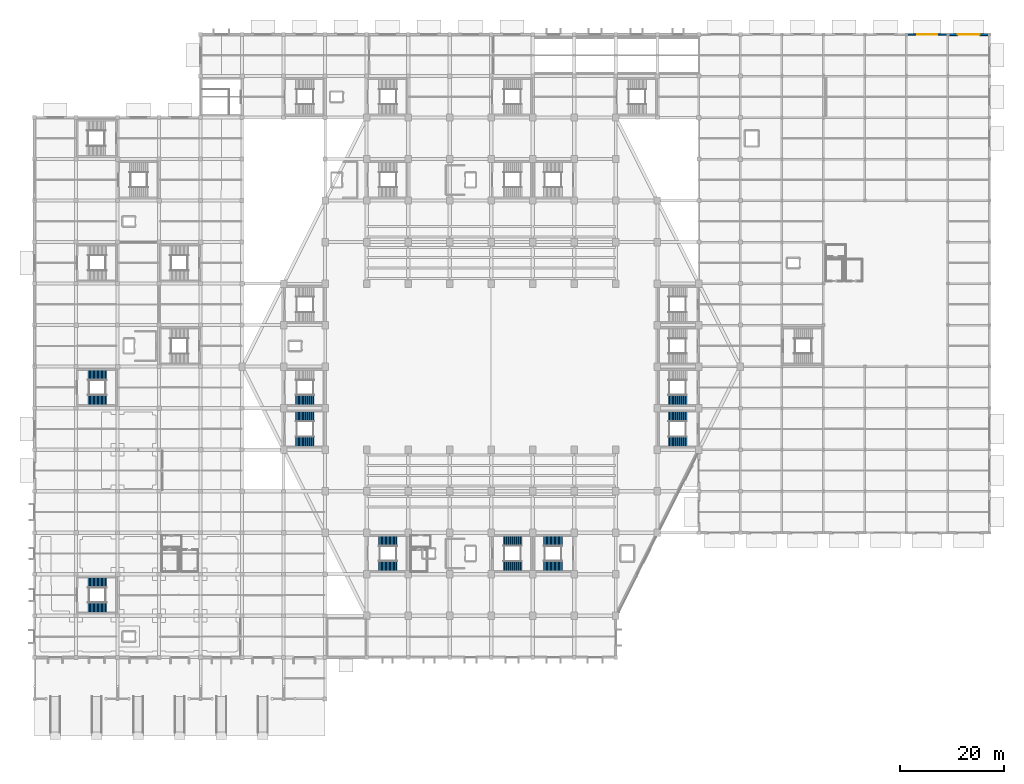
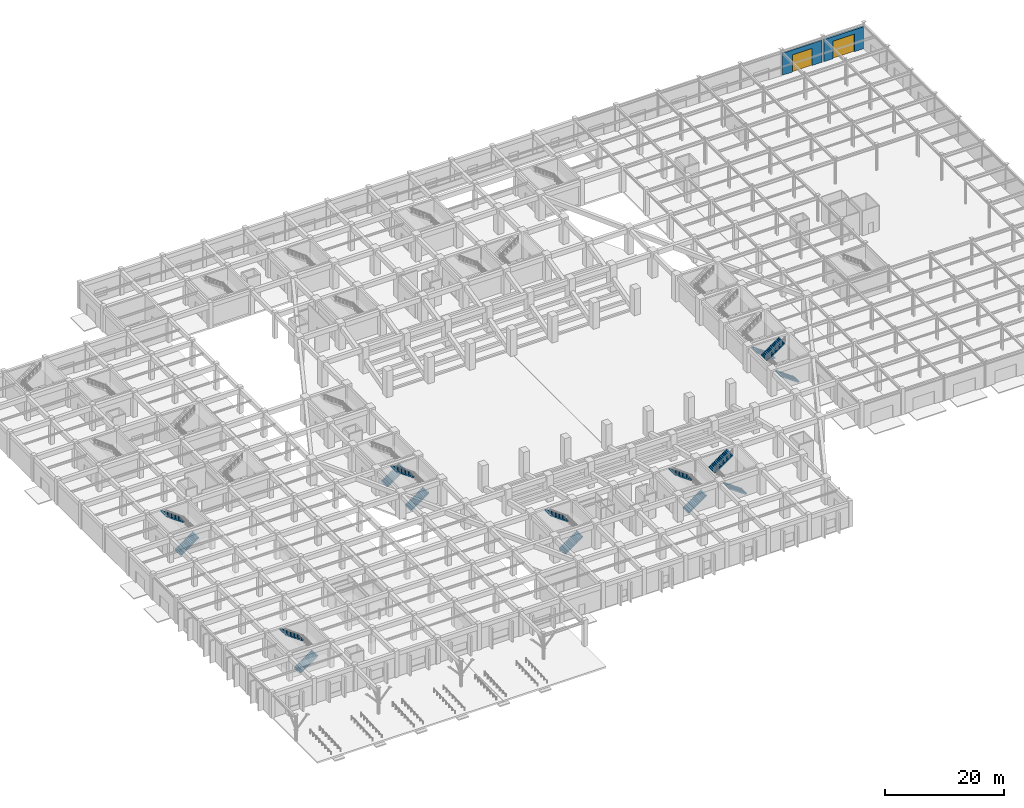
# One storey, part 32 of 39: 16 stair flights, 2 doors, 2 walls, 2 openings, 9 elements without a shape of their own.
"""IFC4 building model written with IfcOpenShell, lengths in metres."""

from ifc_helpers import new_model, si_unit, direction, frame, frame_2d, origin, place, context, subcontext, project, spatial, polyline, rectangle, outline, extrude, material, layer, layer_set, type_object, element, fill, aggregate, save


model = new_model("IFC4")

# Units and contexts
model_context = context("Model", 3, precision=1e-05, world=origin(), true_north=direction((0.0, 1.0)))
body_context = subcontext(model_context, "Body", "Model", "MODEL_VIEW")
ifc_project = project(units=[si_unit("LENGTHUNIT", "METRE"), si_unit("AREAUNIT", "SQUARE_METRE"), si_unit("VOLUMEUNIT", "CUBIC_METRE"), si_unit("PLANEANGLEUNIT", "RADIAN"), si_unit("MASSUNIT", "GRAM", prefix="KILO")], contexts=[model_context])

# Site, building, storey
site_placement = place(None, origin())
site = spatial("IfcSite", under=ifc_project, at=site_placement, CompositionType="ELEMENT")
building_placement = place(site_placement, origin())
building = spatial("IfcBuilding", under=site, at=building_placement, Name="Tazarka Park Arena", CompositionType="ELEMENT")
storey_placement = place(building_placement, origin())
storey = spatial("IfcBuildingStorey", under=building, at=storey_placement, Name="L00", CompositionType="ELEMENT", Elevation=0.0)

# Wall, opening, door
ifc_material_1 = material(Name="Concrete C50/60", Category="concrete")
ifc_layer_1 = layer(ifc_material_1, 0.3798828125, Name="Concrete C50/60")
ifc_layer_set_1 = layer_set([ifc_layer_1], Name="Concrete C50/60")
wall_type_1 = type_object("IfcWallType", Name="WAL-EW-05", PredefinedType="SOLIDWALL", material=ifc_layer_set_1)
wall_1_placement = place(storey_placement, frame((176.18310546875, 128.0, 0.0), z_axis=(0.0, 0.0, 1.0), x_axis=(1.0, 0.0, 0.0)))
wall_1 = element("IfcWall", 1, at=wall_1_placement, inside=storey, type_object=wall_type_1, Name="EW-L00-0100", PredefinedType="SOLIDWALL", context=body_context, shape_type="SweptSolid", body=[
    extrude(rectangle(XDim=7.6337890625, YDim=0.3798828125, at=frame_2d((3.81689453125, 0.0))), origin(), (0.0, 0.0, 1.0), 4.510009765625),
])
opening_1_placement = place(wall_1_placement, frame((1.716796875, 0.0, 0.0)))
opening_1 = element("IfcOpeningElement", 2, at=opening_1_placement, cuts=wall_1, Name="Opening VS-01", PredefinedType="OPENING", context=body_context, shape_type="SweptSolid", body=[
    extrude(rectangle(XDim=4.199951171875, YDim=3.60009765625, at=frame_2d((2.10009765625, 1.800048828125))), frame((0.0, 0.199951171875, 0.0), z_axis=(0.0, -1.0, 0.0), x_axis=(1.0, 0.0, 0.0)), (0.0, 0.0, 1.0), 0.39990234375),
])
ifc_material_2 = material(Name="Thermally broken anodised aluminium and laminated safety glass", Category="aluminium")
door_type_1 = type_object("IfcDoorType", Name="DR-VS-01", OperationType="NOTDEFINED", PredefinedType="DOOR", material=ifc_material_2)
door_1_placement = place(opening_1_placement, origin())
door_1 = element("IfcDoor", 3, at=door_1_placement, inside=storey, type_object=door_type_1, Name="Loading Dock Shutter VS-01", OperationType="ROLLINGUP", OverallHeight=3.60009765625, OverallWidth=4.199951171875, PredefinedType="DOOR", context=body_context, shape_type="SweptSolid", body=[
    extrude(rectangle(XDim=4.199951171875, YDim=3.60009765625, at=frame_2d((2.10009765625, 1.800048828125))), frame((0.0, 0.02490234375, 0.0), z_axis=(0.0, -1.0, 0.0), x_axis=(1.0, 0.0, 0.0)), (0.0, 0.0, 1.0), 0.050048828125),
])
fill(opening_1, door_1)

ifc_material_3 = material(Name="Precast concrete C40/50", Category="concrete")
ifc_layer_2 = layer(ifc_material_3, 0.280029296875, Name="Precast concrete C40/50")
ifc_layer_set_2 = layer_set([ifc_layer_2], Name="Precast concrete C40/50")
wall_type_2 = type_object("IfcWallType", Name="WAL-EW-06", PredefinedType="SOLIDWALL", material=ifc_layer_set_2)
wall_2_placement = place(storey_placement, frame((168.18310546875, 128.0, 0.0), z_axis=(0.0, 0.0, 1.0), x_axis=(1.0, 0.0, 0.0)))
wall_2 = element("IfcWall", 4, at=wall_2_placement, inside=storey, type_object=wall_type_2, Name="EW-L00-0101", PredefinedType="SOLIDWALL", context=body_context, shape_type="SweptSolid", body=[
    extrude(rectangle(XDim=7.6337890625, YDim=0.280029296875, at=frame_2d((3.81689453125, 0.0))), origin(), (0.0, 0.0, 1.0), 4.510009765625),
])
opening_2_placement = place(wall_2_placement, frame((1.916748046875, 0.0, 0.0)))
opening_2 = element("IfcOpeningElement", 5, at=opening_2_placement, cuts=wall_2, Name="Opening VS-02", PredefinedType="OPENING", context=body_context, shape_type="SweptSolid", body=[
    extrude(rectangle(XDim=3.800048828125, YDim=3.5, at=frame_2d((1.89990234375, 1.75))), frame((0.0, 0.14990234375, 0.0), z_axis=(0.0, -1.0, 0.0), x_axis=(1.0, 0.0, 0.0)), (0.0, 0.0, 1.0), 0.300048828125),
])
ifc_material_4 = material(Name="Thermally broken anodised aluminium and laminated safety glass", Category="aluminium")
door_type_2 = type_object("IfcDoorType", Name="DR-VS-02", OperationType="NOTDEFINED", PredefinedType="DOOR", material=ifc_material_4)
door_2_placement = place(opening_2_placement, origin())
door_2 = element("IfcDoor", 6, at=door_2_placement, inside=storey, type_object=door_type_2, Name="Broadcast Compound Shutter VS-02", OperationType="ROLLINGUP", OverallHeight=3.5, OverallWidth=3.800048828125, PredefinedType="DOOR", context=body_context, shape_type="SweptSolid", body=[
    extrude(rectangle(XDim=3.800048828125, YDim=3.5, at=frame_2d((1.89990234375, 1.75))), frame((0.0, 0.02490234375, 0.0), z_axis=(0.0, -1.0, 0.0), x_axis=(1.0, 0.0, 0.0)), (0.0, 0.0, 1.0), 0.050048828125),
])
fill(opening_2, door_2)

# Stair, stair flights
ifc_material_5 = material(Name="Precast concrete C40/50", Category="concrete")
stair_type_1 = type_object("IfcStairType", Name="STR-2400", PredefinedType="HALF_TURN_STAIR", material=ifc_material_5)
stair_1_placement = place(storey_placement, origin())
stair_1 = element("IfcStair", 7, at=stair_1_placement, inside=storey, type_object=stair_type_1, Name="Stair ST01 L00", PredefinedType="HALF_TURN_STAIR")
ifc_material_6 = material(Name="Precast concrete C40/50", Category="concrete")
stair_flight_type_1 = type_object("IfcStairFlightType", Name="FLT-1350", PredefinedType="STRAIGHT", material=ifc_material_6)
stair_flight_1_placement = place(storey_placement, frame((10.31494140625, 57.6298828125, 0.0), z_axis=(0.0, 0.0, 1.0), x_axis=(1.0, 0.0, 0.0)))
stair_flight_1 = element("IfcStairFlight", 8, at=stair_flight_1_placement, type_object=stair_flight_type_1, Name="ST01-L00 flight 1", NumberOfRisers=15, NumberOfTreads=14, PredefinedType="STRAIGHT", RiserHeight=0.18, TreadLength=0.255, context=body_context, shape_type="SweptSolid", body=[
    extrude(outline(polyline([(0.0, 0.0), (0.0, 0.179931640625), (0.2548828125, 0.179931640625), (0.2548828125, 0.360107421875), (0.510009765625, 0.360107421875), (0.510009765625, 0.5400390625), (0.764892578125, 0.5400390625), (0.764892578125, 0.719970703125), (1.02001953125, 0.719970703125), (1.02001953125, 0.89990234375), (1.27490234375, 0.89990234375), (1.27490234375, 1.080078125), (1.530029296875, 1.080078125), (1.530029296875, 1.260009765625), (1.784912109375, 1.260009765625), (1.784912109375, 1.43994140625), (2.0400390625, 1.43994140625), (2.0400390625, 1.6201171875), (2.294921875, 1.6201171875), (2.294921875, 1.800048828125), (2.550048828125, 1.800048828125), (2.550048828125, 1.97998046875), (2.804931640625, 1.97998046875), (2.804931640625, 2.159912109375), (3.06005859375, 2.159912109375), (3.06005859375, 2.340087890625), (3.31494140625, 2.340087890625), (3.31494140625, 2.52001953125), (3.570068359375, 2.52001953125), (3.570068359375, 2.699951171875), (3.570068359375, 2.2998046875), (0.31201171875, 0.0), (0.0, 0.0)])), frame((0.0, 0.969970703125, 0.0), z_axis=(0.0, -1.0, 0.0), x_axis=(1.0, 0.0, 0.0)), (0.0, 0.0, 1.0), 1.93994140625),
])
stair_flight_2_placement = place(storey_placement, frame((13.885009765625, 62.3701171875, 2.699951171875), z_axis=(0.0, 0.0, 1.0), x_axis=(-1.0, 0.0, 0.0)))
stair_flight_2 = element("IfcStairFlight", 9, at=stair_flight_2_placement, type_object=stair_flight_type_1, Name="ST01-L00 flight 2", NumberOfRisers=15, NumberOfTreads=14, PredefinedType="STRAIGHT", RiserHeight=0.18, TreadLength=0.255, context=body_context, shape_type="SweptSolid", body=[
    extrude(outline(polyline([(0.0, 0.0), (0.0, 0.179931640625), (0.2548828125, 0.179931640625), (0.2548828125, 0.360107421875), (0.510009765625, 0.360107421875), (0.510009765625, 0.5400390625), (0.764892578125, 0.5400390625), (0.764892578125, 0.719970703125), (1.02001953125, 0.719970703125), (1.02001953125, 0.89990234375), (1.27490234375, 0.89990234375), (1.27490234375, 1.080078125), (1.530029296875, 1.080078125), (1.530029296875, 1.260009765625), (1.784912109375, 1.260009765625), (1.784912109375, 1.43994140625), (2.0400390625, 1.43994140625), (2.0400390625, 1.6201171875), (2.294921875, 1.6201171875), (2.294921875, 1.800048828125), (2.550048828125, 1.800048828125), (2.550048828125, 1.97998046875), (2.804931640625, 1.97998046875), (2.804931640625, 2.159912109375), (3.06005859375, 2.159912109375), (3.06005859375, 2.340087890625), (3.31494140625, 2.340087890625), (3.31494140625, 2.52001953125), (3.570068359375, 2.52001953125), (3.570068359375, 2.699951171875), (3.570068359375, 2.2998046875), (0.31201171875, 0.0), (0.0, 0.0)])), frame((0.0, 0.969970703125, 0.0), z_axis=(0.0, -1.0, 0.0), x_axis=(1.0, 0.0, 0.0)), (0.0, 0.0, 1.0), 1.93994140625),
])
aggregate(stair_1, [stair_flight_1, stair_flight_2])

stair_2_placement = place(storey_placement, origin())
stair_2 = element("IfcStair", 10, at=stair_2_placement, inside=storey, type_object=stair_type_1, Name="Stair ST09 L00", PredefinedType="HALF_TURN_STAIR")
stair_flight_3_placement = place(storey_placement, frame((66.31494140625, 25.6298828125, 0.0), z_axis=(0.0, 0.0, 1.0), x_axis=(1.0, 0.0, 0.0)))
stair_flight_3 = element("IfcStairFlight", 11, at=stair_flight_3_placement, type_object=stair_flight_type_1, Name="ST09-L00 flight 1", NumberOfRisers=15, NumberOfTreads=14, PredefinedType="STRAIGHT", RiserHeight=0.18, TreadLength=0.255, context=body_context, shape_type="SweptSolid", body=[
    extrude(outline(polyline([(0.0, 0.0), (0.0, 0.179931640625), (0.2548828125, 0.179931640625), (0.2548828125, 0.360107421875), (0.510009765625, 0.360107421875), (0.510009765625, 0.5400390625), (0.764892578125, 0.5400390625), (0.764892578125, 0.719970703125), (1.02001953125, 0.719970703125), (1.02001953125, 0.89990234375), (1.27490234375, 0.89990234375), (1.27490234375, 1.080078125), (1.530029296875, 1.080078125), (1.530029296875, 1.260009765625), (1.784912109375, 1.260009765625), (1.784912109375, 1.43994140625), (2.0400390625, 1.43994140625), (2.0400390625, 1.6201171875), (2.294921875, 1.6201171875), (2.294921875, 1.800048828125), (2.550048828125, 1.800048828125), (2.550048828125, 1.97998046875), (2.804931640625, 1.97998046875), (2.804931640625, 2.159912109375), (3.06005859375, 2.159912109375), (3.06005859375, 2.340087890625), (3.31494140625, 2.340087890625), (3.31494140625, 2.52001953125), (3.570068359375, 2.52001953125), (3.570068359375, 2.699951171875), (3.570068359375, 2.2998046875), (0.31201171875, 0.0), (0.0, 0.0)])), frame((0.0, 0.969970703125, 0.0), z_axis=(0.0, -1.0, 0.0), x_axis=(1.0, 0.0, 0.0)), (0.0, 0.0, 1.0), 1.93994140625),
])
stair_flight_4_placement = place(storey_placement, frame((69.885009765625, 30.3701171875, 2.699951171875), z_axis=(0.0, 0.0, 1.0), x_axis=(-1.0, 0.0, 0.0)))
stair_flight_4 = element("IfcStairFlight", 12, at=stair_flight_4_placement, type_object=stair_flight_type_1, Name="ST09-L00 flight 2", NumberOfRisers=15, NumberOfTreads=14, PredefinedType="STRAIGHT", RiserHeight=0.18, TreadLength=0.255, context=body_context, shape_type="SweptSolid", body=[
    extrude(outline(polyline([(0.0, 0.0), (0.0, 0.179931640625), (0.2548828125, 0.179931640625), (0.2548828125, 0.360107421875), (0.510009765625, 0.360107421875), (0.510009765625, 0.5400390625), (0.764892578125, 0.5400390625), (0.764892578125, 0.719970703125), (1.02001953125, 0.719970703125), (1.02001953125, 0.89990234375), (1.27490234375, 0.89990234375), (1.27490234375, 1.080078125), (1.530029296875, 1.080078125), (1.530029296875, 1.260009765625), (1.784912109375, 1.260009765625), (1.784912109375, 1.43994140625), (2.0400390625, 1.43994140625), (2.0400390625, 1.6201171875), (2.294921875, 1.6201171875), (2.294921875, 1.800048828125), (2.550048828125, 1.800048828125), (2.550048828125, 1.97998046875), (2.804931640625, 1.97998046875), (2.804931640625, 2.159912109375), (3.06005859375, 2.159912109375), (3.06005859375, 2.340087890625), (3.31494140625, 2.340087890625), (3.31494140625, 2.52001953125), (3.570068359375, 2.52001953125), (3.570068359375, 2.699951171875), (3.570068359375, 2.2998046875), (0.31201171875, 0.0), (0.0, 0.0)])), frame((0.0, 0.969970703125, 0.0), z_axis=(0.0, -1.0, 0.0), x_axis=(1.0, 0.0, 0.0)), (0.0, 0.0, 1.0), 1.93994140625),
])
aggregate(stair_2, [stair_flight_3, stair_flight_4])

stair_3_placement = place(storey_placement, origin())
stair_3 = element("IfcStair", 13, at=stair_3_placement, inside=storey, type_object=stair_type_1, Name="Stair ST11 L00", PredefinedType="HALF_TURN_STAIR")
stair_flight_5_placement = place(storey_placement, frame((101.68505859375, 25.6298828125, 0.0), z_axis=(0.0, 0.0, 1.0), x_axis=(-1.0, 0.0, 0.0)))
stair_flight_5 = element("IfcStairFlight", 14, at=stair_flight_5_placement, type_object=stair_flight_type_1, Name="ST11-L00 flight 1", NumberOfRisers=15, NumberOfTreads=14, PredefinedType="STRAIGHT", RiserHeight=0.18, TreadLength=0.255, context=body_context, shape_type="SweptSolid", body=[
    extrude(outline(polyline([(0.0, 0.0), (0.0, 0.179931640625), (0.2548828125, 0.179931640625), (0.2548828125, 0.360107421875), (0.510009765625, 0.360107421875), (0.510009765625, 0.5400390625), (0.764892578125, 0.5400390625), (0.764892578125, 0.719970703125), (1.02001953125, 0.719970703125), (1.02001953125, 0.89990234375), (1.27490234375, 0.89990234375), (1.27490234375, 1.080078125), (1.530029296875, 1.080078125), (1.530029296875, 1.260009765625), (1.784912109375, 1.260009765625), (1.784912109375, 1.43994140625), (2.0400390625, 1.43994140625), (2.0400390625, 1.6201171875), (2.294921875, 1.6201171875), (2.294921875, 1.800048828125), (2.550048828125, 1.800048828125), (2.550048828125, 1.97998046875), (2.804931640625, 1.97998046875), (2.804931640625, 2.159912109375), (3.06005859375, 2.159912109375), (3.06005859375, 2.340087890625), (3.31494140625, 2.340087890625), (3.31494140625, 2.52001953125), (3.570068359375, 2.52001953125), (3.570068359375, 2.699951171875), (3.570068359375, 2.2998046875), (0.31201171875, 0.0), (0.0, 0.0)])), frame((0.0, 0.969970703125, 0.0), z_axis=(0.0, -1.0, 0.0), x_axis=(1.0, 0.0, 0.0)), (0.0, 0.0, 1.0), 1.93994140625),
])
stair_flight_6_placement = place(storey_placement, frame((98.114990234375, 30.3701171875, 2.699951171875), z_axis=(0.0, 0.0, 1.0), x_axis=(1.0, 0.0, 0.0)))
stair_flight_6 = element("IfcStairFlight", 15, at=stair_flight_6_placement, type_object=stair_flight_type_1, Name="ST11-L00 flight 2", NumberOfRisers=15, NumberOfTreads=14, PredefinedType="STRAIGHT", RiserHeight=0.18, TreadLength=0.255, context=body_context, shape_type="SweptSolid", body=[
    extrude(outline(polyline([(0.0, 0.0), (0.0, 0.179931640625), (0.2548828125, 0.179931640625), (0.2548828125, 0.360107421875), (0.510009765625, 0.360107421875), (0.510009765625, 0.5400390625), (0.764892578125, 0.5400390625), (0.764892578125, 0.719970703125), (1.02001953125, 0.719970703125), (1.02001953125, 0.89990234375), (1.27490234375, 0.89990234375), (1.27490234375, 1.080078125), (1.530029296875, 1.080078125), (1.530029296875, 1.260009765625), (1.784912109375, 1.260009765625), (1.784912109375, 1.43994140625), (2.0400390625, 1.43994140625), (2.0400390625, 1.6201171875), (2.294921875, 1.6201171875), (2.294921875, 1.800048828125), (2.550048828125, 1.800048828125), (2.550048828125, 1.97998046875), (2.804931640625, 1.97998046875), (2.804931640625, 2.159912109375), (3.06005859375, 2.159912109375), (3.06005859375, 2.340087890625), (3.31494140625, 2.340087890625), (3.31494140625, 2.52001953125), (3.570068359375, 2.52001953125), (3.570068359375, 2.699951171875), (3.570068359375, 2.2998046875), (0.31201171875, 0.0), (0.0, 0.0)])), frame((0.0, 0.969970703125, 0.0), z_axis=(0.0, -1.0, 0.0), x_axis=(1.0, 0.0, 0.0)), (0.0, 0.0, 1.0), 1.93994140625),
])
aggregate(stair_3, [stair_flight_5, stair_flight_6])

# Stair, stair flight
stair_4_placement = place(storey_placement, origin())
stair_4 = element("IfcStair", 16, at=stair_4_placement, inside=storey, type_object=stair_type_1, Name="Stair ST12 L00", PredefinedType="HALF_TURN_STAIR")
stair_flight_7_placement = place(storey_placement, frame((125.68505859375, 57.6298828125, 0.0), z_axis=(0.0, 0.0, 1.0), x_axis=(-1.0, 0.0, 0.0)))
stair_flight_7 = element("IfcStairFlight", 17, at=stair_flight_7_placement, type_object=stair_flight_type_1, Name="ST12-L00 flight 1", NumberOfRisers=15, NumberOfTreads=14, PredefinedType="STRAIGHT", RiserHeight=0.18, TreadLength=0.255, context=body_context, shape_type="SweptSolid", body=[
    extrude(outline(polyline([(0.0, 0.0), (0.0, 0.179931640625), (0.2548828125, 0.179931640625), (0.2548828125, 0.360107421875), (0.510009765625, 0.360107421875), (0.510009765625, 0.5400390625), (0.764892578125, 0.5400390625), (0.764892578125, 0.719970703125), (1.02001953125, 0.719970703125), (1.02001953125, 0.89990234375), (1.27490234375, 0.89990234375), (1.27490234375, 1.080078125), (1.530029296875, 1.080078125), (1.530029296875, 1.260009765625), (1.784912109375, 1.260009765625), (1.784912109375, 1.43994140625), (2.0400390625, 1.43994140625), (2.0400390625, 1.6201171875), (2.294921875, 1.6201171875), (2.294921875, 1.800048828125), (2.550048828125, 1.800048828125), (2.550048828125, 1.97998046875), (2.804931640625, 1.97998046875), (2.804931640625, 2.159912109375), (3.06005859375, 2.159912109375), (3.06005859375, 2.340087890625), (3.31494140625, 2.340087890625), (3.31494140625, 2.52001953125), (3.570068359375, 2.52001953125), (3.570068359375, 2.699951171875), (3.570068359375, 2.2998046875), (0.31201171875, 0.0), (0.0, 0.0)])), frame((0.0, 0.969970703125, 0.0), z_axis=(0.0, -1.0, 0.0), x_axis=(1.0, 0.0, 0.0)), (0.0, 0.0, 1.0), 1.93994140625),
])
aggregate(stair_4, [stair_flight_7])

stair_5_placement = place(storey_placement, origin())
stair_5 = element("IfcStair", 18, at=stair_5_placement, inside=storey, type_object=stair_type_1, Name="Stair ST13 L00", PredefinedType="HALF_TURN_STAIR")
stair_flight_8_placement = place(storey_placement, frame((50.31494140625, 57.6298828125, 0.0), z_axis=(0.0, 0.0, 1.0), x_axis=(1.0, 0.0, 0.0)))
stair_flight_8 = element("IfcStairFlight", 19, at=stair_flight_8_placement, type_object=stair_flight_type_1, Name="ST13-L00 flight 1", NumberOfRisers=15, NumberOfTreads=14, PredefinedType="STRAIGHT", RiserHeight=0.18, TreadLength=0.255, context=body_context, shape_type="SweptSolid", body=[
    extrude(outline(polyline([(0.0, 0.0), (0.0, 0.179931640625), (0.2548828125, 0.179931640625), (0.2548828125, 0.360107421875), (0.510009765625, 0.360107421875), (0.510009765625, 0.5400390625), (0.764892578125, 0.5400390625), (0.764892578125, 0.719970703125), (1.02001953125, 0.719970703125), (1.02001953125, 0.89990234375), (1.27490234375, 0.89990234375), (1.27490234375, 1.080078125), (1.530029296875, 1.080078125), (1.530029296875, 1.260009765625), (1.784912109375, 1.260009765625), (1.784912109375, 1.43994140625), (2.0400390625, 1.43994140625), (2.0400390625, 1.6201171875), (2.294921875, 1.6201171875), (2.294921875, 1.800048828125), (2.550048828125, 1.800048828125), (2.550048828125, 1.97998046875), (2.804931640625, 1.97998046875), (2.804931640625, 2.159912109375), (3.06005859375, 2.159912109375), (3.06005859375, 2.340087890625), (3.31494140625, 2.340087890625), (3.31494140625, 2.52001953125), (3.570068359375, 2.52001953125), (3.570068359375, 2.699951171875), (3.570068359375, 2.2998046875), (0.31201171875, 0.0), (0.0, 0.0)])), frame((0.0, 0.969970703125, 0.0), z_axis=(0.0, -1.0, 0.0), x_axis=(1.0, 0.0, 0.0)), (0.0, 0.0, 1.0), 1.93994140625),
])
aggregate(stair_5, [stair_flight_8])

# Stair, stair flights
stair_6_placement = place(storey_placement, origin())
stair_6 = element("IfcStair", 20, at=stair_6_placement, inside=storey, type_object=stair_type_1, Name="Stair ST17 L00", PredefinedType="HALF_TURN_STAIR")
stair_flight_9_placement = place(storey_placement, frame((10.31494140625, 17.6298828125, 0.0), z_axis=(0.0, 0.0, 1.0), x_axis=(1.0, 0.0, 0.0)))
stair_flight_9 = element("IfcStairFlight", 21, at=stair_flight_9_placement, type_object=stair_flight_type_1, Name="ST17-L00 flight 1", NumberOfRisers=15, NumberOfTreads=14, PredefinedType="STRAIGHT", RiserHeight=0.18, TreadLength=0.255, context=body_context, shape_type="SweptSolid", body=[
    extrude(outline(polyline([(0.0, 0.0), (0.0, 0.179931640625), (0.2548828125, 0.179931640625), (0.2548828125, 0.360107421875), (0.510009765625, 0.360107421875), (0.510009765625, 0.5400390625), (0.764892578125, 0.5400390625), (0.764892578125, 0.719970703125), (1.02001953125, 0.719970703125), (1.02001953125, 0.89990234375), (1.27490234375, 0.89990234375), (1.27490234375, 1.080078125), (1.530029296875, 1.080078125), (1.530029296875, 1.260009765625), (1.784912109375, 1.260009765625), (1.784912109375, 1.43994140625), (2.0400390625, 1.43994140625), (2.0400390625, 1.6201171875), (2.294921875, 1.6201171875), (2.294921875, 1.800048828125), (2.550048828125, 1.800048828125), (2.550048828125, 1.97998046875), (2.804931640625, 1.97998046875), (2.804931640625, 2.159912109375), (3.06005859375, 2.159912109375), (3.06005859375, 2.340087890625), (3.31494140625, 2.340087890625), (3.31494140625, 2.52001953125), (3.570068359375, 2.52001953125), (3.570068359375, 2.699951171875), (3.570068359375, 2.2998046875), (0.31201171875, 0.0), (0.0, 0.0)])), frame((0.0, 0.969970703125, 0.0), z_axis=(0.0, -1.0, 0.0), x_axis=(1.0, 0.0, 0.0)), (0.0, 0.0, 1.0), 1.93994140625),
])
stair_flight_10_placement = place(storey_placement, frame((13.885009765625, 22.3701171875, 2.699951171875), z_axis=(0.0, 0.0, 1.0), x_axis=(-1.0, 0.0, 0.0)))
stair_flight_10 = element("IfcStairFlight", 22, at=stair_flight_10_placement, type_object=stair_flight_type_1, Name="ST17-L00 flight 2", NumberOfRisers=15, NumberOfTreads=14, PredefinedType="STRAIGHT", RiserHeight=0.18, TreadLength=0.255, context=body_context, shape_type="SweptSolid", body=[
    extrude(outline(polyline([(0.0, 0.0), (0.0, 0.179931640625), (0.2548828125, 0.179931640625), (0.2548828125, 0.360107421875), (0.510009765625, 0.360107421875), (0.510009765625, 0.5400390625), (0.764892578125, 0.5400390625), (0.764892578125, 0.719970703125), (1.02001953125, 0.719970703125), (1.02001953125, 0.89990234375), (1.27490234375, 0.89990234375), (1.27490234375, 1.080078125), (1.530029296875, 1.080078125), (1.530029296875, 1.260009765625), (1.784912109375, 1.260009765625), (1.784912109375, 1.43994140625), (2.0400390625, 1.43994140625), (2.0400390625, 1.6201171875), (2.294921875, 1.6201171875), (2.294921875, 1.800048828125), (2.550048828125, 1.800048828125), (2.550048828125, 1.97998046875), (2.804931640625, 1.97998046875), (2.804931640625, 2.159912109375), (3.06005859375, 2.159912109375), (3.06005859375, 2.340087890625), (3.31494140625, 2.340087890625), (3.31494140625, 2.52001953125), (3.570068359375, 2.52001953125), (3.570068359375, 2.699951171875), (3.570068359375, 2.2998046875), (0.31201171875, 0.0), (0.0, 0.0)])), frame((0.0, 0.969970703125, 0.0), z_axis=(0.0, -1.0, 0.0), x_axis=(1.0, 0.0, 0.0)), (0.0, 0.0, 1.0), 1.93994140625),
])
aggregate(stair_6, [stair_flight_9, stair_flight_10])

ifc_material_7 = material(Name="Precast concrete C40/50", Category="concrete")
stair_type_2 = type_object("IfcStairType", Name="STR-1800", PredefinedType="HALF_TURN_STAIR", material=ifc_material_7)
stair_7_placement = place(storey_placement, origin())
stair_7 = element("IfcStair", 23, at=stair_7_placement, inside=storey, type_object=stair_type_2, Name="Vomitory Stair ST19 L00", PredefinedType="HALF_TURN_STAIR")
ifc_material_8 = material(Name="Precast concrete C40/50", Category="concrete")
stair_flight_type_2 = type_object("IfcStairFlightType", Name="FLT-1800", PredefinedType="STRAIGHT", material=ifc_material_8)
stair_flight_11_placement = place(storey_placement, frame((50.31494140625, 49.610107421875, 0.0), z_axis=(0.0, 0.0, 1.0), x_axis=(1.0, 0.0, 0.0)))
stair_flight_11 = element("IfcStairFlight", 24, at=stair_flight_11_placement, type_object=stair_flight_type_2, Name="ST19-L00 flight 1", NumberOfRisers=15, NumberOfTreads=14, PredefinedType="STRAIGHT", RiserHeight=0.18, TreadLength=0.255, context=body_context, shape_type="SweptSolid", body=[
    extrude(outline(polyline([(0.0, 0.0), (0.0, 0.179931640625), (0.2548828125, 0.179931640625), (0.2548828125, 0.360107421875), (0.510009765625, 0.360107421875), (0.510009765625, 0.5400390625), (0.764892578125, 0.5400390625), (0.764892578125, 0.719970703125), (1.02001953125, 0.719970703125), (1.02001953125, 0.89990234375), (1.27490234375, 0.89990234375), (1.27490234375, 1.080078125), (1.530029296875, 1.080078125), (1.530029296875, 1.260009765625), (1.784912109375, 1.260009765625), (1.784912109375, 1.43994140625), (2.0400390625, 1.43994140625), (2.0400390625, 1.6201171875), (2.294921875, 1.6201171875), (2.294921875, 1.800048828125), (2.550048828125, 1.800048828125), (2.550048828125, 1.97998046875), (2.804931640625, 1.97998046875), (2.804931640625, 2.159912109375), (3.06005859375, 2.159912109375), (3.06005859375, 2.340087890625), (3.31494140625, 2.340087890625), (3.31494140625, 2.52001953125), (3.570068359375, 2.52001953125), (3.570068359375, 2.699951171875), (3.570068359375, 2.2998046875), (0.31201171875, 0.0), (0.0, 0.0)])), frame((0.0, 0.949951171875, 0.0), z_axis=(0.0, -1.0, 0.0), x_axis=(1.0, 0.0, 0.0)), (0.0, 0.0, 1.0), 1.89990234375),
])
stair_flight_12_placement = place(storey_placement, frame((53.885009765625, 54.389892578125, 2.699951171875), z_axis=(0.0, 0.0, 1.0), x_axis=(-1.0, 0.0, 0.0)))
stair_flight_12 = element("IfcStairFlight", 25, at=stair_flight_12_placement, type_object=stair_flight_type_2, Name="ST19-L00 flight 2", NumberOfRisers=15, NumberOfTreads=14, PredefinedType="STRAIGHT", RiserHeight=0.18, TreadLength=0.255, context=body_context, shape_type="SweptSolid", body=[
    extrude(outline(polyline([(0.0, 0.0), (0.0, 0.179931640625), (0.2548828125, 0.179931640625), (0.2548828125, 0.360107421875), (0.510009765625, 0.360107421875), (0.510009765625, 0.5400390625), (0.764892578125, 0.5400390625), (0.764892578125, 0.719970703125), (1.02001953125, 0.719970703125), (1.02001953125, 0.89990234375), (1.27490234375, 0.89990234375), (1.27490234375, 1.080078125), (1.530029296875, 1.080078125), (1.530029296875, 1.260009765625), (1.784912109375, 1.260009765625), (1.784912109375, 1.43994140625), (2.0400390625, 1.43994140625), (2.0400390625, 1.6201171875), (2.294921875, 1.6201171875), (2.294921875, 1.800048828125), (2.550048828125, 1.800048828125), (2.550048828125, 1.97998046875), (2.804931640625, 1.97998046875), (2.804931640625, 2.159912109375), (3.06005859375, 2.159912109375), (3.06005859375, 2.340087890625), (3.31494140625, 2.340087890625), (3.31494140625, 2.52001953125), (3.570068359375, 2.52001953125), (3.570068359375, 2.699951171875), (3.570068359375, 2.2998046875), (0.31201171875, 0.0), (0.0, 0.0)])), frame((0.0, 0.949951171875, 0.0), z_axis=(0.0, -1.0, 0.0), x_axis=(1.0, 0.0, 0.0)), (0.0, 0.0, 1.0), 1.89990234375),
])
aggregate(stair_7, [stair_flight_11, stair_flight_12])

stair_8_placement = place(storey_placement, origin())
stair_8 = element("IfcStair", 26, at=stair_8_placement, inside=storey, type_object=stair_type_2, Name="Vomitory Stair ST21 L00", PredefinedType="HALF_TURN_STAIR")
stair_flight_13_placement = place(storey_placement, frame((125.68505859375, 49.610107421875, 0.0), z_axis=(0.0, 0.0, 1.0), x_axis=(-1.0, 0.0, 0.0)))
stair_flight_13 = element("IfcStairFlight", 27, at=stair_flight_13_placement, type_object=stair_flight_type_2, Name="ST21-L00 flight 1", NumberOfRisers=15, NumberOfTreads=14, PredefinedType="STRAIGHT", RiserHeight=0.18, TreadLength=0.255, context=body_context, shape_type="SweptSolid", body=[
    extrude(outline(polyline([(0.0, 0.0), (0.0, 0.179931640625), (0.2548828125, 0.179931640625), (0.2548828125, 0.360107421875), (0.510009765625, 0.360107421875), (0.510009765625, 0.5400390625), (0.764892578125, 0.5400390625), (0.764892578125, 0.719970703125), (1.02001953125, 0.719970703125), (1.02001953125, 0.89990234375), (1.27490234375, 0.89990234375), (1.27490234375, 1.080078125), (1.530029296875, 1.080078125), (1.530029296875, 1.260009765625), (1.784912109375, 1.260009765625), (1.784912109375, 1.43994140625), (2.0400390625, 1.43994140625), (2.0400390625, 1.6201171875), (2.294921875, 1.6201171875), (2.294921875, 1.800048828125), (2.550048828125, 1.800048828125), (2.550048828125, 1.97998046875), (2.804931640625, 1.97998046875), (2.804931640625, 2.159912109375), (3.06005859375, 2.159912109375), (3.06005859375, 2.340087890625), (3.31494140625, 2.340087890625), (3.31494140625, 2.52001953125), (3.570068359375, 2.52001953125), (3.570068359375, 2.699951171875), (3.570068359375, 2.2998046875), (0.31201171875, 0.0), (0.0, 0.0)])), frame((0.0, 0.949951171875, 0.0), z_axis=(0.0, -1.0, 0.0), x_axis=(1.0, 0.0, 0.0)), (0.0, 0.0, 1.0), 1.89990234375),
])
stair_flight_14_placement = place(storey_placement, frame((122.114990234375, 54.389892578125, 2.699951171875), z_axis=(0.0, 0.0, 1.0), x_axis=(1.0, 0.0, 0.0)))
stair_flight_14 = element("IfcStairFlight", 28, at=stair_flight_14_placement, type_object=stair_flight_type_2, Name="ST21-L00 flight 2", NumberOfRisers=15, NumberOfTreads=14, PredefinedType="STRAIGHT", RiserHeight=0.18, TreadLength=0.255, context=body_context, shape_type="SweptSolid", body=[
    extrude(outline(polyline([(0.0, 0.0), (0.0, 0.179931640625), (0.2548828125, 0.179931640625), (0.2548828125, 0.360107421875), (0.510009765625, 0.360107421875), (0.510009765625, 0.5400390625), (0.764892578125, 0.5400390625), (0.764892578125, 0.719970703125), (1.02001953125, 0.719970703125), (1.02001953125, 0.89990234375), (1.27490234375, 0.89990234375), (1.27490234375, 1.080078125), (1.530029296875, 1.080078125), (1.530029296875, 1.260009765625), (1.784912109375, 1.260009765625), (1.784912109375, 1.43994140625), (2.0400390625, 1.43994140625), (2.0400390625, 1.6201171875), (2.294921875, 1.6201171875), (2.294921875, 1.800048828125), (2.550048828125, 1.800048828125), (2.550048828125, 1.97998046875), (2.804931640625, 1.97998046875), (2.804931640625, 2.159912109375), (3.06005859375, 2.159912109375), (3.06005859375, 2.340087890625), (3.31494140625, 2.340087890625), (3.31494140625, 2.52001953125), (3.570068359375, 2.52001953125), (3.570068359375, 2.699951171875), (3.570068359375, 2.2998046875), (0.31201171875, 0.0), (0.0, 0.0)])), frame((0.0, 0.949951171875, 0.0), z_axis=(0.0, -1.0, 0.0), x_axis=(1.0, 0.0, 0.0)), (0.0, 0.0, 1.0), 1.89990234375),
])
aggregate(stair_8, [stair_flight_13, stair_flight_14])

stair_9_placement = place(storey_placement, origin())
stair_9 = element("IfcStair", 29, at=stair_9_placement, inside=storey, type_object=stair_type_2, Name="Vomitory Stair ST23 L00", PredefinedType="HALF_TURN_STAIR")
stair_flight_15_placement = place(storey_placement, frame((90.31494140625, 25.610107421875, 0.0), z_axis=(0.0, 0.0, 1.0), x_axis=(1.0, 0.0, 0.0)))
stair_flight_15 = element("IfcStairFlight", 30, at=stair_flight_15_placement, type_object=stair_flight_type_2, Name="ST23-L00 flight 1", NumberOfRisers=15, NumberOfTreads=14, PredefinedType="STRAIGHT", RiserHeight=0.18, TreadLength=0.255, context=body_context, shape_type="SweptSolid", body=[
    extrude(outline(polyline([(0.0, 0.0), (0.0, 0.179931640625), (0.2548828125, 0.179931640625), (0.2548828125, 0.360107421875), (0.510009765625, 0.360107421875), (0.510009765625, 0.5400390625), (0.764892578125, 0.5400390625), (0.764892578125, 0.719970703125), (1.02001953125, 0.719970703125), (1.02001953125, 0.89990234375), (1.27490234375, 0.89990234375), (1.27490234375, 1.080078125), (1.530029296875, 1.080078125), (1.530029296875, 1.260009765625), (1.784912109375, 1.260009765625), (1.784912109375, 1.43994140625), (2.0400390625, 1.43994140625), (2.0400390625, 1.6201171875), (2.294921875, 1.6201171875), (2.294921875, 1.800048828125), (2.550048828125, 1.800048828125), (2.550048828125, 1.97998046875), (2.804931640625, 1.97998046875), (2.804931640625, 2.159912109375), (3.06005859375, 2.159912109375), (3.06005859375, 2.340087890625), (3.31494140625, 2.340087890625), (3.31494140625, 2.52001953125), (3.570068359375, 2.52001953125), (3.570068359375, 2.699951171875), (3.570068359375, 2.2998046875), (0.31201171875, 0.0), (0.0, 0.0)])), frame((0.0, 0.949951171875, 0.0), z_axis=(0.0, -1.0, 0.0), x_axis=(1.0, 0.0, 0.0)), (0.0, 0.0, 1.0), 1.89990234375),
])
stair_flight_16_placement = place(storey_placement, frame((93.885009765625, 30.389892578125, 2.699951171875), z_axis=(0.0, 0.0, 1.0), x_axis=(-1.0, 0.0, 0.0)))
stair_flight_16 = element("IfcStairFlight", 31, at=stair_flight_16_placement, type_object=stair_flight_type_2, Name="ST23-L00 flight 2", NumberOfRisers=15, NumberOfTreads=14, PredefinedType="STRAIGHT", RiserHeight=0.18, TreadLength=0.255, context=body_context, shape_type="SweptSolid", body=[
    extrude(outline(polyline([(0.0, 0.0), (0.0, 0.179931640625), (0.2548828125, 0.179931640625), (0.2548828125, 0.360107421875), (0.510009765625, 0.360107421875), (0.510009765625, 0.5400390625), (0.764892578125, 0.5400390625), (0.764892578125, 0.719970703125), (1.02001953125, 0.719970703125), (1.02001953125, 0.89990234375), (1.27490234375, 0.89990234375), (1.27490234375, 1.080078125), (1.530029296875, 1.080078125), (1.530029296875, 1.260009765625), (1.784912109375, 1.260009765625), (1.784912109375, 1.43994140625), (2.0400390625, 1.43994140625), (2.0400390625, 1.6201171875), (2.294921875, 1.6201171875), (2.294921875, 1.800048828125), (2.550048828125, 1.800048828125), (2.550048828125, 1.97998046875), (2.804931640625, 1.97998046875), (2.804931640625, 2.159912109375), (3.06005859375, 2.159912109375), (3.06005859375, 2.340087890625), (3.31494140625, 2.340087890625), (3.31494140625, 2.52001953125), (3.570068359375, 2.52001953125), (3.570068359375, 2.699951171875), (3.570068359375, 2.2998046875), (0.31201171875, 0.0), (0.0, 0.0)])), frame((0.0, 0.949951171875, 0.0), z_axis=(0.0, -1.0, 0.0), x_axis=(1.0, 0.0, 0.0)), (0.0, 0.0, 1.0), 1.89990234375),
])
aggregate(stair_9, [stair_flight_15, stair_flight_16])

save(model, "model.ifc")
